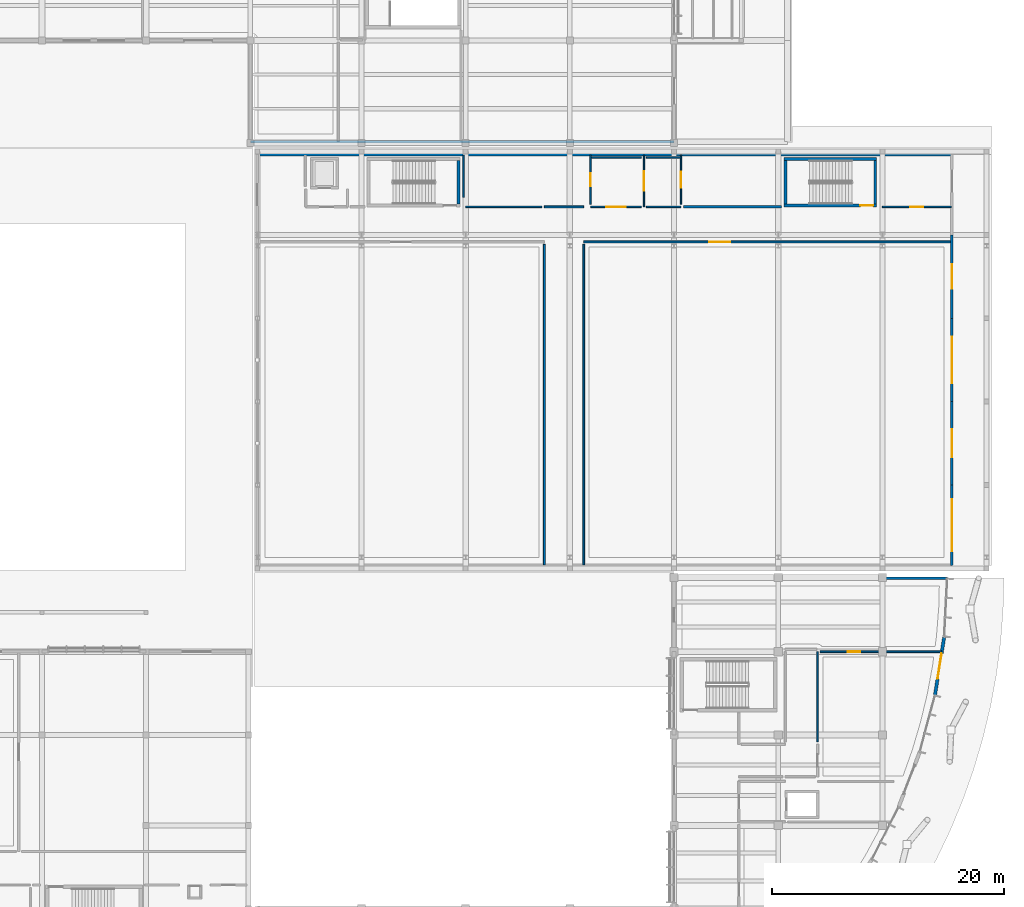
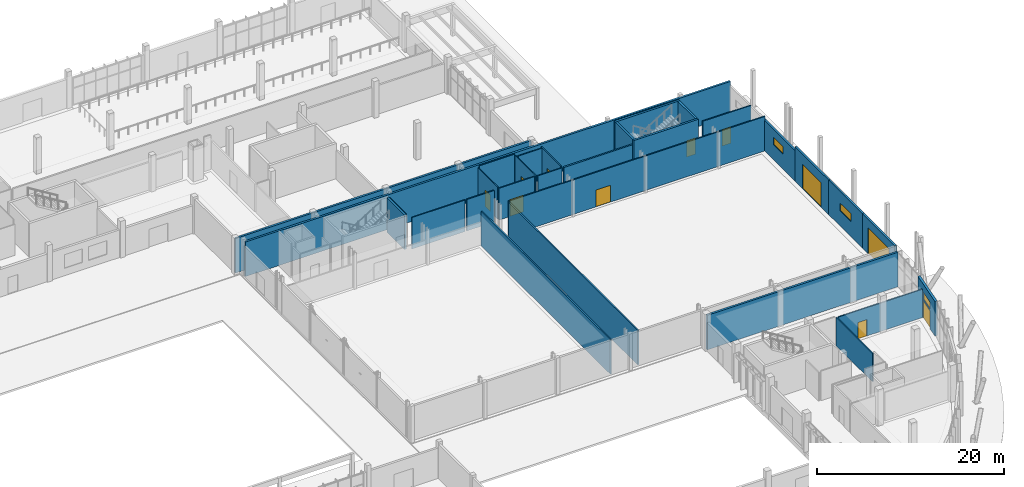
# One storey, part 128 of 151: 30 walls, 11 doors, 3 windows, 14 openings.
"""IFC4 building model written with IfcOpenShell, lengths in metres."""

from ifc_helpers import new_model, si_unit, direction, frame, frame_2d, origin, place, context, subcontext, project, spatial, rectangle, extrude, material, layer, layer_set, type_object, element, fill, save


model = new_model("IFC4")

# Units and contexts
model_context = context("Model", 3, precision=1e-05, world=origin(), true_north=direction((0.0, 1.0)))
body_context = subcontext(model_context, "Body", "Model", "MODEL_VIEW")
ifc_project = project(units=[si_unit("LENGTHUNIT", "METRE"), si_unit("AREAUNIT", "SQUARE_METRE"), si_unit("VOLUMEUNIT", "CUBIC_METRE"), si_unit("PLANEANGLEUNIT", "RADIAN"), si_unit("MASSUNIT", "GRAM", prefix="KILO")], contexts=[model_context])

# Site, building, storey
site_placement = place(None, origin())
site = spatial("IfcSite", under=ifc_project, at=site_placement, CompositionType="ELEMENT")
building_placement = place(site_placement, origin())
building = spatial("IfcBuilding", under=site, at=building_placement, Name="Chiffa Square Polytechnic", CompositionType="ELEMENT")
storey_placement = place(building_placement, origin())
storey = spatial("IfcBuildingStorey", under=building, at=storey_placement, Name="L00", CompositionType="ELEMENT", Elevation=0.0)

# Wall
ifc_material_1 = material(Name="Concrete C40/50", Category="concrete")
ifc_layer_1 = layer(ifc_material_1, 0.25, Name="Concrete C40/50")
ifc_layer_set_1 = layer_set([ifc_layer_1], Name="Concrete C40/50")
wall_type_1 = type_object("IfcWallType", Name="WL-CORE-250", PredefinedType="SHEAR", material=ifc_layer_set_1)
wall_1_placement = place(storey_placement, frame((129.574951171875, 89.675048828125, 0.0), z_axis=(0.0, 0.0, 1.0), x_axis=(0.0, 1.0, 0.0)))
element("IfcWall", 1, at=wall_1_placement, inside=storey, type_object=wall_type_1, Name="Core or enclosure wall WC-CORE-V2A-L00-EAST", PredefinedType="SHEAR", context=body_context, shape_type="SweptSolid", body=[
    extrude(rectangle(XDim=3.7548828125, YDim=0.25, at=frame_2d((1.87744140625, 0.0))), origin(), (0.0, 0.0, 1.0), 4.52001953125),
])

# Wall, opening, door
wall_2_placement = place(storey_placement, frame((157.699951171875, 89.550048828125, 0.0), z_axis=(0.0, 0.0, 1.0), x_axis=(1.0, 0.0, 0.0)))
wall_2 = element("IfcWall", 2, at=wall_2_placement, inside=storey, type_object=wall_type_1, Name="Core or enclosure wall WC-CORE-V2B-L00-SOUTH", PredefinedType="SHEAR", context=body_context, shape_type="SweptSolid", body=[
    extrude(rectangle(XDim=8.0, YDim=0.25, at=frame_2d((4.0, 0.0))), origin(), (0.0, 0.0, 1.0), 4.52001953125),
])
opening_1_placement = place(wall_2_placement, frame((6.60009765625, 0.0, 0.0)))
opening_1 = element("IfcOpeningElement", 3, at=opening_1_placement, cuts=wall_2, Name="Opening DS-L00-019", PredefinedType="OPENING", context=body_context, shape_type="SweptSolid", body=[
    extrude(rectangle(XDim=1.10009765625, YDim=2.14990234375, at=frame_2d((0.550048828125, 1.074951171875))), frame((0.0, 0.135009765625, 0.0), z_axis=(0.0, -1.0, 0.0), x_axis=(1.0, 0.0, 0.0)), (0.0, 0.0, 1.0), 0.27001953125),
])
ifc_material_2 = material(Name="Fire-rated painted steel leaf", Category="steel")
door_type_1 = type_object("IfcDoorType", Name="DR-STAIR-1100", OperationType="NOTDEFINED", PredefinedType="DOOR", material=ifc_material_2)
door_1_placement = place(opening_1_placement, origin())
door_1 = element("IfcDoor", 4, at=door_1_placement, inside=storey, type_object=door_type_1, Name="Enclosure door DS-L00-019", OperationType="SINGLE_SWING_LEFT", OverallHeight=2.14990234375, OverallWidth=1.10009765625, PredefinedType="DOOR", context=body_context, shape_type="SweptSolid", body=[
    extrude(rectangle(XDim=1.10009765625, YDim=2.14990234375, at=frame_2d((0.550048828125, 1.074951171875))), frame((0.0, 0.02490234375, 0.0), z_axis=(0.0, -1.0, 0.0), x_axis=(1.0, 0.0, 0.0)), (0.0, 0.0, 1.0), 0.050048828125),
])
fill(opening_1, door_1)

# Walls
wall_3_placement = place(storey_placement, frame((157.699951171875, 93.554931640625, 0.0), z_axis=(0.0, 0.0, 1.0), x_axis=(1.0, 0.0, 0.0)))
element("IfcWall", 5, at=wall_3_placement, inside=storey, type_object=wall_type_1, Name="Core or enclosure wall WC-CORE-V2B-L00-NORTH", PredefinedType="SHEAR", context=body_context, shape_type="SweptSolid", body=[
    extrude(rectangle(XDim=8.0, YDim=0.25, at=frame_2d((4.0, 0.0))), origin(), (0.0, 0.0, 1.0), 4.52001953125),
])
for number, where, z_axis, x_axis, name in (
    (6, (157.824951171875, 89.675048828125, 0.0), (0.0, 0.0, 1.0), (0.0, 1.0, 0.0), "Core or enclosure wall WC-CORE-V2B-L00-WEST"),
    (7, (165.574951171875, 89.675048828125, 0.0), (0.0, 0.0, 1.0), (0.0, 1.0, 0.0), "Core or enclosure wall WC-CORE-V2B-L00-EAST"),
):
    element("IfcWall", number, at=place(storey_placement, frame(where, z_axis=z_axis, x_axis=x_axis)), inside=storey, type_object=wall_type_1, Name=name, PredefinedType="SHEAR", context=body_context, shape_type="SweptSolid", body=[
        extrude(rectangle(XDim=3.7548828125, YDim=0.25, at=frame_2d((1.87744140625, 0.0))), origin(), (0.0, 0.0, 1.0), 4.52001953125),
    ])

# Wall, opening, door
ifc_material_3 = material(Name="Precast concrete C40/50", Category="concrete")
ifc_layer_2 = layer(ifc_material_3, 0.219970703125, Name="Precast concrete C40/50")
ifc_layer_set_2 = layer_set([ifc_layer_2], Name="Precast concrete C40/50")
wall_type_2 = type_object("IfcWallType", Name="WL-EXT-PC220", PredefinedType="SOLIDWALL", material=ifc_layer_set_2)
wall_4_placement = place(storey_placement, frame((172.199951171875, 58.449951171875, 0.0), z_axis=(0.0, 0.0, 1.0), x_axis=(0.0, 1.0, 0.0)))
wall_4 = element("IfcWall", 8, at=wall_4_placement, inside=storey, type_object=wall_type_2, Name="Exterior wall WE-V2-L00-0103", PredefinedType="SOLIDWALL", context=body_context, shape_type="SweptSolid", body=[
    extrude(rectangle(XDim=6.949951171875, YDim=0.219970703125, at=frame_2d((3.47509765625, 0.0))), origin(), (0.0, 0.0, 1.0), 4.52001953125),
])
opening_2_placement = place(wall_4_placement, frame((1.22509765625, 0.0, 0.0)))
opening_2 = element("IfcOpeningElement", 9, at=opening_2_placement, cuts=wall_4, Name="Opening DG-L00-016", PredefinedType="OPENING", context=body_context, shape_type="SweptSolid", body=[
    extrude(rectangle(XDim=4.5, YDim=3.39990234375, at=frame_2d((2.25, 1.699951171875))), frame((0.0, 0.1201171875, 0.0), z_axis=(0.0, -1.0, 0.0), x_axis=(1.0, 0.0, 0.0)), (0.0, 0.0, 1.0), 0.239990234375),
])
ifc_material_4 = material(Name="Galvanized steel roller shutter", Category="steel")
door_type_2 = type_object("IfcDoorType", Name="DR-GATE-4500X3400", OperationType="ROLLINGUP", PredefinedType="GATE", material=ifc_material_4)
door_2_placement = place(opening_2_placement, origin())
door_2 = element("IfcDoor", 10, at=door_2_placement, inside=storey, type_object=door_type_2, Name="Exterior door DG-L00-016", OperationType="ROLLINGUP", OverallHeight=3.39990234375, OverallWidth=4.5, PredefinedType="GATE", context=body_context, shape_type="SweptSolid", body=[
    extrude(rectangle(XDim=4.5, YDim=3.39990234375, at=frame_2d((2.25, 1.699951171875))), frame((0.0, 0.02490234375, 0.0), z_axis=(0.0, -1.0, 0.0), x_axis=(1.0, 0.0, 0.0)), (0.0, 0.0, 1.0), 0.050048828125),
])
fill(opening_2, door_2)

# Wall, opening, window
wall_5_placement = place(storey_placement, frame((172.199951171875, 65.39990234375, 0.0), z_axis=(0.0, 0.0, 1.0), x_axis=(0.0, 1.0, 0.0)))
wall_5 = element("IfcWall", 11, at=wall_5_placement, inside=storey, type_object=wall_type_2, Name="Exterior wall WE-V2-L00-0104", PredefinedType="SOLIDWALL", context=body_context, shape_type="SweptSolid", body=[
    extrude(rectangle(XDim=7.2001953125, YDim=0.219970703125, at=frame_2d((3.60009765625, 0.0))), origin(), (0.0, 0.0, 1.0), 4.52001953125),
])
opening_3_placement = place(wall_5_placement, frame((2.39990234375, 0.0, 2.0)))
opening_3 = element("IfcOpeningElement", 12, at=opening_3_placement, cuts=wall_5, Name="Opening WCL-03", PredefinedType="OPENING", context=body_context, shape_type="SweptSolid", body=[
    extrude(rectangle(XDim=2.39990234375, YDim=1.0, at=frame_2d((1.199951171875, 0.5))), frame((0.0, 0.1201171875, 0.0), z_axis=(0.0, -1.0, 0.0), x_axis=(1.0, 0.0, 0.0)), (0.0, 0.0, 1.0), 0.239990234375),
])
ifc_material_5 = material(Name="Double glazing in thermally broken aluminium frame", Category="aluminium")
window_type_1 = type_object("IfcWindowType", Name="WIN-CLR-2400X1000", PartitioningType="DOUBLE_PANEL_VERTICAL", PredefinedType="WINDOW", material=ifc_material_5)
window_1_placement = place(opening_3_placement, origin())
window_1 = element("IfcWindow", 13, at=window_1_placement, inside=storey, type_object=window_type_1, Name="Facade window WN-L00-0104", OverallHeight=1.0, OverallWidth=2.39990234375, PartitioningType="DOUBLE_PANEL_VERTICAL", PredefinedType="WINDOW", context=body_context, shape_type="SweptSolid", body=[
    extrude(rectangle(XDim=2.39990234375, YDim=1.0, at=frame_2d((1.199951171875, 0.5))), frame((0.0, 0.030029296875, 0.0), z_axis=(0.0, -1.0, 0.0), x_axis=(1.0, 0.0, 0.0)), (0.0, 0.0, 1.0), 0.06005859375),
])
fill(opening_3, window_1)

# Wall, opening, door
wall_6_placement = place(storey_placement, frame((172.199951171875, 72.60009765625, 0.0), z_axis=(0.0, 0.0, 1.0), x_axis=(0.0, 1.0, 0.0)))
wall_6 = element("IfcWall", 14, at=wall_6_placement, inside=storey, type_object=wall_type_2, Name="Exterior wall WE-V2-L00-0105", PredefinedType="SOLIDWALL", context=body_context, shape_type="SweptSolid", body=[
    extrude(rectangle(XDim=7.199951171875, YDim=0.219970703125, at=frame_2d((3.60009765625, 0.0))), origin(), (0.0, 0.0, 1.0), 4.52001953125),
])
opening_4_placement = place(wall_6_placement, frame((1.60009765625, 0.0, 0.0)))
opening_4 = element("IfcOpeningElement", 15, at=opening_4_placement, cuts=wall_6, Name="Opening DG-L00-017", PredefinedType="OPENING", context=body_context, shape_type="SweptSolid", body=[
    extrude(rectangle(XDim=4.0, YDim=3.199951171875, at=frame_2d((2.0, 1.60009765625))), frame((0.0, 0.1201171875, 0.0), z_axis=(0.0, -1.0, 0.0), x_axis=(1.0, 0.0, 0.0)), (0.0, 0.0, 1.0), 0.239990234375),
])
door_type_3 = type_object("IfcDoorType", Name="DR-GATE-4000X3200", OperationType="ROLLINGUP", PredefinedType="GATE", material=ifc_material_4)
door_3_placement = place(opening_4_placement, origin())
door_3 = element("IfcDoor", 16, at=door_3_placement, inside=storey, type_object=door_type_3, Name="Exterior door DG-L00-017", OperationType="ROLLINGUP", OverallHeight=3.199951171875, OverallWidth=4.0, PredefinedType="GATE", context=body_context, shape_type="SweptSolid", body=[
    extrude(rectangle(XDim=4.0, YDim=3.199951171875, at=frame_2d((2.0, 1.60009765625))), frame((0.0, 0.02490234375, 0.0), z_axis=(0.0, -1.0, 0.0), x_axis=(1.0, 0.0, 0.0)), (0.0, 0.0, 1.0), 0.050048828125),
])
fill(opening_4, door_3)

# Wall, opening, window
wall_7_placement = place(storey_placement, frame((172.199951171875, 79.800048828125, 0.0), z_axis=(0.0, 0.0, 1.0), x_axis=(0.0, 1.0, 0.0)))
wall_7 = element("IfcWall", 17, at=wall_7_placement, inside=storey, type_object=wall_type_2, Name="Exterior wall WE-V2-L00-0106", PredefinedType="SOLIDWALL", context=body_context, shape_type="SweptSolid", body=[
    extrude(rectangle(XDim=7.199951171875, YDim=0.219970703125, at=frame_2d((3.60009765625, 0.0))), origin(), (0.0, 0.0, 1.0), 4.0048828125),
])
opening_5_placement = place(wall_7_placement, frame((2.550048828125, 0.0, 2.0)))
opening_5 = element("IfcOpeningElement", 18, at=opening_5_placement, cuts=wall_7, Name="Opening WCL-04", PredefinedType="OPENING", context=body_context, shape_type="SweptSolid", body=[
    extrude(rectangle(XDim=2.10009765625, YDim=0.949951171875, at=frame_2d((1.050048828125, 0.47509765625))), frame((0.0, 0.1201171875, 0.0), z_axis=(0.0, -1.0, 0.0), x_axis=(1.0, 0.0, 0.0)), (0.0, 0.0, 1.0), 0.239990234375),
])
window_type_2 = type_object("IfcWindowType", Name="WIN-CLR-2100X0950", PartitioningType="DOUBLE_PANEL_VERTICAL", PredefinedType="WINDOW", material=ifc_material_5)
window_2_placement = place(opening_5_placement, origin())
window_2 = element("IfcWindow", 19, at=window_2_placement, inside=storey, type_object=window_type_2, Name="Facade window WN-L00-0105", OverallHeight=0.949951171875, OverallWidth=2.10009765625, PartitioningType="DOUBLE_PANEL_VERTICAL", PredefinedType="WINDOW", context=body_context, shape_type="SweptSolid", body=[
    extrude(rectangle(XDim=2.10009765625, YDim=0.949951171875, at=frame_2d((1.050048828125, 0.47509765625))), frame((0.0, 0.030029296875, 0.0), z_axis=(0.0, -1.0, 0.0), x_axis=(1.0, 0.0, 0.0)), (0.0, 0.0, 1.0), 0.06005859375),
])
fill(opening_5, window_2)

# Wall, openings, door, window
ifc_layer_3 = layer(ifc_material_3, 0.280029296875, Name="Precast concrete C40/50")
ifc_layer_set_3 = layer_set([ifc_layer_3], Name="Precast concrete C40/50")
wall_type_3 = type_object("IfcWallType", Name="WL-EXT-PC280", PredefinedType="SOLIDWALL", material=ifc_layer_set_3)
wall_8_placement = place(storey_placement, frame((170.738037109375, 47.2451171875, 0.0), z_axis=(0.0, 0.0, 1.0), x_axis=(0.156440618646, 0.98768736594, 0.0)))
wall_8 = element("IfcWall", 20, at=wall_8_placement, inside=storey, type_object=wall_type_3, Name="Chiffa Square portico entrance wall WE-V1-L00-PORTAL-15", PredefinedType="SOLIDWALL", context=body_context, shape_type="SweptSolid", body=[
    extrude(rectangle(XDim=5.087646484375, YDim=0.280029296875, at=frame_2d((2.5439453125, 0.0))), origin(), (0.0, 0.0, 1.0), 4.52001953125),
])
opening_6_placement = place(wall_8_placement, frame((1.444091796875, 0.0, 0.0)))
opening_6 = element("IfcOpeningElement", 21, at=opening_6_placement, cuts=wall_8, Name="Opening DE-L00-008", PredefinedType="OPENING", context=body_context, shape_type="SweptSolid", body=[
    extrude(rectangle(XDim=2.199951171875, YDim=2.35009765625, at=frame_2d((1.10009765625, 1.175048828125))), frame((0.0, 0.14990234375, 0.0), z_axis=(0.0, -1.0, 0.0), x_axis=(1.0, 0.0, 0.0)), (0.0, 0.0, 1.0), 0.300048828125),
])
opening_7_placement = place(wall_8_placement, frame((1.493896484375, 0.0, 2.530029296875)))
opening_7 = element("IfcOpeningElement", 22, at=opening_7_placement, cuts=wall_8, Name="Opening WCL-04", PredefinedType="OPENING", context=body_context, shape_type="SweptSolid", body=[
    extrude(rectangle(XDim=2.10009765625, YDim=0.949951171875, at=frame_2d((1.050048828125, 0.47509765625))), frame((0.0, 0.14990234375, 0.0), z_axis=(0.0, -1.0, 0.0), x_axis=(1.0, 0.0, 0.0)), (0.0, 0.0, 1.0), 0.300048828125),
])
ifc_material_6 = material(Name="Aluminium and laminated safety glass", Category="aluminium")
door_type_4 = type_object("IfcDoorType", Name="DR-EXIT-DBL-2200", OperationType="DOUBLE_DOOR_SINGLE_SWING", PredefinedType="DOOR", material=ifc_material_6)
door_4_placement = place(opening_6_placement, origin())
door_4 = element("IfcDoor", 23, at=door_4_placement, inside=storey, type_object=door_type_4, Name="Faculty prow portico entrance door DE-L00-008", OperationType="DOUBLE_DOOR_SINGLE_SWING", OverallHeight=2.35009765625, OverallWidth=2.199951171875, PredefinedType="DOOR", context=body_context, shape_type="SweptSolid", body=[
    extrude(rectangle(XDim=2.199951171875, YDim=2.35009765625, at=frame_2d((1.10009765625, 1.175048828125))), frame((0.0, 0.02490234375, 0.0), z_axis=(0.0, -1.0, 0.0), x_axis=(1.0, 0.0, 0.0)), (0.0, 0.0, 1.0), 0.050048828125),
])
fill(opening_6, door_4)
window_3_placement = place(opening_7_placement, origin())
window_3 = element("IfcWindow", 24, at=window_3_placement, inside=storey, type_object=window_type_2, Name="Entrance transom clerestory WN-L00-0008", OverallHeight=0.949951171875, OverallWidth=2.10009765625, PartitioningType="DOUBLE_PANEL_VERTICAL", PredefinedType="WINDOW", context=body_context, shape_type="SweptSolid", body=[
    extrude(rectangle(XDim=2.10009765625, YDim=0.949951171875, at=frame_2d((1.050048828125, 0.47509765625))), frame((0.0, 0.030029296875, 0.0), z_axis=(0.0, -1.0, 0.0), x_axis=(1.0, 0.0, 0.0)), (0.0, 0.0, 1.0), 0.06005859375),
])
fill(opening_7, window_3)

# Walls
ifc_material_7 = material(Name="Gypsum board on steel stud", Category="steel")
ifc_layer_4 = layer(ifc_material_7, 0.125, Name="Gypsum board on steel stud")
ifc_layer_set_4 = layer_set([ifc_layer_4], Name="Gypsum board on steel stud")
wall_type_4 = type_object("IfcWallType", Name="WL-PART-125", PredefinedType="PARTITIONING", material=ifc_layer_set_4)
wall_9_placement = place(storey_placement, frame((130.194091796875, 89.425048828125, 0.0), z_axis=(0.0, 0.0, 1.0), x_axis=(1.0, 0.0, 0.0)))
element("IfcWall", 25, at=wall_9_placement, inside=storey, type_object=wall_type_4, Name="Interior partition WP-V2-L00-0116", PredefinedType="PARTITIONING", context=body_context, shape_type="SweptSolid", body=[
    extrude(rectangle(XDim=6.5859375, YDim=0.125, at=frame_2d((3.29296875, 0.0))), origin(), (0.0, 0.0, 1.0), 4.114990234375),
])
wall_10_placement = place(storey_placement, frame((160.60009765625, 43.219970703125, 0.0), z_axis=(0.0, 0.0, 1.0), x_axis=(0.0, 1.0, 0.0)))
element("IfcWall", 26, at=wall_10_placement, inside=storey, type_object=wall_type_4, Name="Interior partition WP-V1-L00-0137", PredefinedType="PARTITIONING", context=body_context, shape_type="SweptSolid", body=[
    extrude(rectangle(XDim=7.780029296875, YDim=0.125, at=frame_2d((3.89013671875, 0.0))), origin(), (0.0, 0.0, 1.0), 3.705078125),
])

# Wall, opening, door
ifc_layer_5 = layer(ifc_material_7, 0.14501953125, Name="Gypsum board on steel stud")
ifc_layer_set_5 = layer_set([ifc_layer_5], Name="Gypsum board on steel stud")
wall_type_5 = type_object("IfcWallType", Name="WL-PART-145", PredefinedType="PARTITIONING", material=ifc_layer_set_5)
wall_11_placement = place(storey_placement, frame((166.194091796875, 89.425048828125, 0.0), z_axis=(0.0, 0.0, 1.0), x_axis=(1.0, 0.0, 0.0)))
wall_11 = element("IfcWall", 27, at=wall_11_placement, inside=storey, type_object=wall_type_5, Name="Interior partition WP-V2-L00-0108", PredefinedType="PARTITIONING", context=body_context, shape_type="SweptSolid", body=[
    extrude(rectangle(XDim=5.950927734375, YDim=0.14501953125, at=frame_2d((2.9755859375, 0.0))), origin(), (0.0, 0.0, 1.0), 4.114990234375),
])
opening_8_placement = place(wall_11_placement, frame((2.426025390625, 0.0, 0.0)))
opening_8 = element("IfcOpeningElement", 28, at=opening_8_placement, cuts=wall_11, Name="Opening DI-L00-079", PredefinedType="OPENING", context=body_context, shape_type="SweptSolid", body=[
    extrude(rectangle(XDim=1.10009765625, YDim=2.14990234375, at=frame_2d((0.550048828125, 1.074951171875))), frame((0.0, 0.08251953125, 0.0), z_axis=(0.0, -1.0, 0.0), x_axis=(1.0, 0.0, 0.0)), (0.0, 0.0, 1.0), 0.1650390625),
])
ifc_material_8 = material(Name="Solid core ash veneer door")
door_type_5 = type_object("IfcDoorType", Name="DR-INT-1100", OperationType="NOTDEFINED", PredefinedType="DOOR", material=ifc_material_8)
door_5_placement = place(opening_8_placement, origin())
door_5 = element("IfcDoor", 29, at=door_5_placement, inside=storey, type_object=door_type_5, Name="Interior room door DI-L00-079", OperationType="SINGLE_SWING_RIGHT", OverallHeight=2.14990234375, OverallWidth=1.10009765625, PredefinedType="DOOR", context=body_context, shape_type="SweptSolid", body=[
    extrude(rectangle(XDim=1.10009765625, YDim=2.14990234375, at=frame_2d((0.550048828125, 1.074951171875))), frame((0.0, 0.02490234375, 0.0), z_axis=(0.0, -1.0, 0.0), x_axis=(1.0, 0.0, 0.0)), (0.0, 0.0, 1.0), 0.050048828125),
])
fill(opening_8, door_5)

# Wall
wall_12_placement = place(storey_placement, frame((130.0, 90.25390625, 0.0), z_axis=(0.0, 0.0, 1.0), x_axis=(0.0, 1.0, 0.0)))
element("IfcWall", 30, at=wall_12_placement, inside=storey, type_object=wall_type_5, Name="Interior partition WP-V2-L00-0117", PredefinedType="PARTITIONING", context=body_context, shape_type="SweptSolid", body=[
    extrude(rectangle(XDim=3.64111328125, YDim=0.14501953125, at=frame_2d((1.820556640625, 0.0))), origin(), (0.0, 0.0, 1.0), 4.114990234375),
])

# Wall, opening, door
wall_13_placement = place(storey_placement, frame((160.820068359375, 51.0, 0.0), z_axis=(0.0, 0.0, 1.0), x_axis=(1.0, 0.0, 0.0)))
wall_13 = element("IfcWall", 31, at=wall_13_placement, inside=storey, type_object=wall_type_5, Name="Interior partition WP-V1-L00-0138", PredefinedType="PARTITIONING", context=body_context, shape_type="SweptSolid", body=[
    extrude(rectangle(XDim=10.491943359375, YDim=0.14501953125, at=frame_2d((5.24609375, 0.0))), origin(), (0.0, 0.0, 1.0), 3.705078125),
])
opening_9_placement = place(wall_13_placement, frame((2.367919921875, 0.0, 0.0)))
opening_9 = element("IfcOpeningElement", 32, at=opening_9_placement, cuts=wall_13, Name="Opening DI-L00-089", PredefinedType="OPENING", context=body_context, shape_type="SweptSolid", body=[
    extrude(rectangle(XDim=1.10009765625, YDim=2.14990234375, at=frame_2d((0.550048828125, 1.074951171875))), frame((0.0, 0.08251953125, 0.0), z_axis=(0.0, -1.0, 0.0), x_axis=(1.0, 0.0, 0.0)), (0.0, 0.0, 1.0), 0.1650390625),
])
door_6_placement = place(opening_9_placement, origin())
door_6 = element("IfcDoor", 33, at=door_6_placement, inside=storey, type_object=door_type_5, Name="Interior room door DI-L00-089", OperationType="SINGLE_SWING_RIGHT", OverallHeight=2.14990234375, OverallWidth=1.10009765625, PredefinedType="DOOR", context=body_context, shape_type="SweptSolid", body=[
    extrude(rectangle(XDim=1.10009765625, YDim=2.14990234375, at=frame_2d((0.550048828125, 1.074951171875))), frame((0.0, 0.02490234375, 0.0), z_axis=(0.0, -1.0, 0.0), x_axis=(1.0, 0.0, 0.0)), (0.0, 0.0, 1.0), 0.050048828125),
])
fill(opening_9, door_6)

# Walls
ifc_material_9 = material(Name="Autoclaved aerated concrete blockwork", Category="masonry")
ifc_layer_6 = layer(ifc_material_9, 0.199951171875, Name="Autoclaved aerated concrete blockwork")
ifc_layer_set_6 = layer_set([ifc_layer_6], Name="Autoclaved aerated concrete blockwork")
wall_type_6 = type_object("IfcWallType", Name="WL-PART-EI120-200", PredefinedType="PARTITIONING", material=ifc_layer_set_6)
wall_14_placement = place(storey_placement, frame((149.02001953125, 89.425048828125, 0.0), z_axis=(0.0, 0.0, 1.0), x_axis=(1.0, 0.0, 0.0)))
element("IfcWall", 34, at=wall_14_placement, inside=storey, type_object=wall_type_6, Name="Interior partition WP-V2-L00-0112", PredefinedType="PARTITIONING", context=body_context, shape_type="SweptSolid", body=[
    extrude(rectangle(XDim=8.47509765625, YDim=0.199951171875, at=frame_2d((4.237548828125, 0.0))), origin(), (0.0, 0.0, 1.0), 4.114990234375),
])
ifc_material_10 = material(Name="Gypsum board on acoustic steel stud", Category="steel")
ifc_layer_7 = layer(ifc_material_10, 0.159912109375, Name="Gypsum board on acoustic steel stud")
ifc_layer_set_7 = layer_set([ifc_layer_7], Name="Gypsum board on acoustic steel stud")
wall_type_7 = type_object("IfcWallType", Name="WL-PART-EI60-160", PredefinedType="PARTITIONING", material=ifc_layer_set_7)
wall_15_placement = place(storey_placement, frame((137.0, 89.425048828125, 0.0), z_axis=(0.0, 0.0, 1.0), x_axis=(1.0, 0.0, 0.0)))
element("IfcWall", 35, at=wall_15_placement, inside=storey, type_object=wall_type_7, Name="Interior partition WP-V2-L00-0115", PredefinedType="PARTITIONING", context=body_context, shape_type="SweptSolid", body=[
    extrude(rectangle(XDim=3.39990234375, YDim=0.159912109375, at=frame_2d((1.699951171875, 0.0))), origin(), (0.0, 0.0, 1.0), 4.114990234375),
])

# Wall, opening, door
wall_16_placement = place(storey_placement, frame((140.39990234375, 86.39990234375, 0.0), z_axis=(0.0, 0.0, 1.0), x_axis=(1.0, 0.0, 0.0)))
wall_16 = element("IfcWall", 36, at=wall_16_placement, inside=storey, type_object=wall_type_7, Name="Interior partition WP-V2-L00-0160", PredefinedType="PARTITIONING", context=body_context, shape_type="SweptSolid", body=[
    extrude(rectangle(XDim=31.7451171875, YDim=0.159912109375, at=frame_2d((15.87255859375, 0.0))), origin(), (0.0, 0.0, 1.0), 4.52001953125),
])
opening_10_placement = place(wall_16_placement, frame((10.842041015625, 0.0, 0.0)))
opening_10 = element("IfcOpeningElement", 37, at=opening_10_placement, cuts=wall_16, Name="Opening DI-L00-098", PredefinedType="OPENING", context=body_context, shape_type="SweptSolid", body=[
    extrude(rectangle(XDim=1.800048828125, YDim=2.199951171875, at=frame_2d((0.89990234375, 1.10009765625))), frame((0.0, 0.08984375, 0.0), z_axis=(0.0, -1.0, 0.0), x_axis=(1.0, 0.0, 0.0)), (0.0, 0.0, 1.0), 0.179931640625),
])
ifc_material_11 = material(Name="Solid oak fire door pair")
door_type_6 = type_object("IfcDoorType", Name="DR-CORR-DBL-1800", OperationType="DOUBLE_DOOR_SINGLE_SWING", PredefinedType="DOOR", material=ifc_material_11)
door_7_placement = place(opening_10_placement, origin())
door_7 = element("IfcDoor", 38, at=door_7_placement, inside=storey, type_object=door_type_6, Name="Interior room door DI-L00-098", OperationType="DOUBLE_DOOR_SINGLE_SWING", OverallHeight=2.199951171875, OverallWidth=1.800048828125, PredefinedType="DOOR", context=body_context, shape_type="SweptSolid", body=[
    extrude(rectangle(XDim=1.800048828125, YDim=2.199951171875, at=frame_2d((0.89990234375, 1.10009765625))), frame((0.0, 0.02490234375, 0.0), z_axis=(0.0, -1.0, 0.0), x_axis=(1.0, 0.0, 0.0)), (0.0, 0.0, 1.0), 0.050048828125),
])
fill(opening_10, door_7)

# Walls
for number, where, z_axis, x_axis, name in (
    (39, (140.39990234375, 58.5048828125, 0.0), (0.0, 0.0, 1.0), (0.0, 1.0, 0.0), "Interior partition WP-V2-L00-0161"),
    (40, (137.0, 58.5048828125, 0.0), (0.0, 0.0, 1.0), (0.0, 1.0, 0.0), "Interior partition WP-V2-L00-0162"),
):
    element("IfcWall", number, at=place(storey_placement, frame(where, z_axis=z_axis, x_axis=x_axis)), inside=storey, type_object=wall_type_7, Name=name, PredefinedType="PARTITIONING", context=body_context, shape_type="SweptSolid", body=[
        extrude(rectangle(XDim=27.675048828125, YDim=0.159912109375, at=frame_2d((13.83740234375, 0.0))), origin(), (0.0, 0.0, 1.0), 4.52001953125),
    ])

# Wall, opening, door
ifc_material_12 = material(Name="Moisture-resistant board partition")
ifc_layer_8 = layer(ifc_material_12, 0.1201171875, Name="Moisture-resistant board partition")
ifc_layer_set_8 = layer_set([ifc_layer_8], Name="Moisture-resistant board partition")
wall_type_8 = type_object("IfcWallType", Name="WL-PART-WC-120", PredefinedType="PARTITIONING", material=ifc_layer_set_8)
wall_17_placement = place(storey_placement, frame((145.60009765625, 89.425048828125, 0.0), z_axis=(0.0, 0.0, 1.0), x_axis=(0.0, 1.0, 0.0)))
wall_17 = element("IfcWall", 41, at=wall_17_placement, inside=storey, type_object=wall_type_8, Name="Interior partition WP-V2-L00-0084", PredefinedType="PARTITIONING", context=body_context, shape_type="SweptSolid", body=[
    extrude(rectangle(XDim=4.469970703125, YDim=0.1201171875, at=frame_2d((2.23486328125, 0.0))), origin(), (0.0, 0.0, 1.0), 4.175048828125),
])
opening_11_placement = place(wall_17_placement, frame((1.385009765625, 0.0, 0.0)))
opening_11 = element("IfcOpeningElement", 42, at=opening_11_placement, cuts=wall_17, Name="Opening DI-L00-069", PredefinedType="OPENING", context=body_context, shape_type="SweptSolid", body=[
    extrude(rectangle(XDim=1.699951171875, YDim=2.199951171875, at=frame_2d((0.85009765625, 1.10009765625))), frame((0.0, 0.070068359375, 0.0), z_axis=(0.0, -1.0, 0.0), x_axis=(1.0, 0.0, 0.0)), (0.0, 0.0, 1.0), 0.14013671875),
])
ifc_material_13 = material(Name="Steel-faced workshop double door", Category="steel")
door_type_7 = type_object("IfcDoorType", Name="DR-WKS-DBL-1700", OperationType="DOUBLE_DOOR_SINGLE_SWING", PredefinedType="DOOR", material=ifc_material_13)
door_8_placement = place(opening_11_placement, origin())
door_8 = element("IfcDoor", 43, at=door_8_placement, inside=storey, type_object=door_type_7, Name="Interior room door DI-L00-069", OperationType="DOUBLE_DOOR_SINGLE_SWING", OverallHeight=2.199951171875, OverallWidth=1.699951171875, PredefinedType="DOOR", context=body_context, shape_type="SweptSolid", body=[
    extrude(rectangle(XDim=1.699951171875, YDim=2.199951171875, at=frame_2d((0.85009765625, 1.10009765625))), frame((0.0, 0.02490234375, 0.0), z_axis=(0.0, -1.0, 0.0), x_axis=(1.0, 0.0, 0.0)), (0.0, 0.0, 1.0), 0.050048828125),
])
fill(opening_11, door_8)

# Walls
for number, where, z_axis, x_axis, name in (
    (44, (145.820068359375, 89.425048828125, 0.0), (0.0, 0.0, 1.0), (1.0, 0.0, 0.0), "Interior partition WP-V2-L00-0085"),
    (45, (145.820068359375, 93.679931640625, 0.0), (0.0, 0.0, 1.0), (1.0, 0.0, 0.0), "Interior partition WP-V2-L00-0086"),
):
    element("IfcWall", number, at=place(storey_placement, frame(where, z_axis=z_axis, x_axis=x_axis)), inside=storey, type_object=wall_type_8, Name=name, PredefinedType="PARTITIONING", context=body_context, shape_type="SweptSolid", body=[
        extrude(rectangle(XDim=2.97998046875, YDim=0.1201171875, at=frame_2d((1.489990234375, 0.0))), origin(), (0.0, 0.0, 1.0), 4.114990234375),
    ])

# Wall, opening, door
wall_18_placement = place(storey_placement, frame((148.800048828125, 89.64501953125, 0.0), z_axis=(0.0, 0.0, 1.0), x_axis=(0.0, 1.0, 0.0)))
wall_18 = element("IfcWall", 46, at=wall_18_placement, inside=storey, type_object=wall_type_8, Name="Interior partition WP-V2-L00-0087", PredefinedType="PARTITIONING", context=body_context, shape_type="SweptSolid", body=[
    extrude(rectangle(XDim=4.25, YDim=0.1201171875, at=frame_2d((2.125, 0.0))), origin(), (0.0, 0.0, 1.0), 4.205078125),
])
opening_12_placement = place(wall_18_placement, frame((1.425048828125, 0.0, 0.0)))
opening_12 = element("IfcOpeningElement", 47, at=opening_12_placement, cuts=wall_18, Name="Opening DI-L00-070", PredefinedType="OPENING", context=body_context, shape_type="SweptSolid", body=[
    extrude(rectangle(XDim=1.39990234375, YDim=2.14990234375, at=frame_2d((0.699951171875, 1.074951171875))), frame((0.0, 0.070068359375, 0.0), z_axis=(0.0, -1.0, 0.0), x_axis=(1.0, 0.0, 0.0)), (0.0, 0.0, 1.0), 0.14013671875),
])
ifc_material_14 = material(Name="Louvred painted steel plant door", Category="steel")
door_type_8 = type_object("IfcDoorType", Name="DR-PLANT-1400", OperationType="DOUBLE_DOOR_SINGLE_SWING", PredefinedType="DOOR", material=ifc_material_14)
door_9_placement = place(opening_12_placement, origin())
door_9 = element("IfcDoor", 48, at=door_9_placement, inside=storey, type_object=door_type_8, Name="Interior room door DI-L00-070", OperationType="DOUBLE_DOOR_SINGLE_SWING", OverallHeight=2.14990234375, OverallWidth=1.39990234375, PredefinedType="DOOR", context=body_context, shape_type="SweptSolid", body=[
    extrude(rectangle(XDim=1.39990234375, YDim=2.14990234375, at=frame_2d((0.699951171875, 1.074951171875))), frame((0.0, 0.02490234375, 0.0), z_axis=(0.0, -1.0, 0.0), x_axis=(1.0, 0.0, 0.0)), (0.0, 0.0, 1.0), 0.050048828125),
])
fill(opening_12, door_9)

# Wall
wall_19_placement = place(storey_placement, frame((141.0, 93.679931640625, 0.0), z_axis=(0.0, 0.0, 1.0), x_axis=(1.0, 0.0, 0.0)))
element("IfcWall", 49, at=wall_19_placement, inside=storey, type_object=wall_type_8, Name="Interior partition WP-V2-L00-0105", PredefinedType="PARTITIONING", context=body_context, shape_type="SweptSolid", body=[
    extrude(rectangle(XDim=4.3798828125, YDim=0.1201171875, at=frame_2d((2.18994140625, 0.0))), origin(), (0.0, 0.0, 1.0), 4.52001953125),
])

# Wall, opening, door
wall_20_placement = place(storey_placement, frame((141.0, 89.425048828125, 0.0), z_axis=(0.0, 0.0, 1.0), x_axis=(1.0, 0.0, 0.0)))
wall_20 = element("IfcWall", 50, at=wall_20_placement, inside=storey, type_object=wall_type_8, Name="Interior partition WP-V2-L00-0106", PredefinedType="PARTITIONING", context=body_context, shape_type="SweptSolid", body=[
    extrude(rectangle(XDim=4.3798828125, YDim=0.1201171875, at=frame_2d((2.18994140625, 0.0))), origin(), (0.0, 0.0, 1.0), 4.175048828125),
])
opening_13_placement = place(wall_20_placement, frame((1.340087890625, 0.0, 0.0)))
opening_13 = element("IfcOpeningElement", 51, at=opening_13_placement, cuts=wall_20, Name="Opening DI-L00-077", PredefinedType="OPENING", context=body_context, shape_type="SweptSolid", body=[
    extrude(rectangle(XDim=1.699951171875, YDim=2.199951171875, at=frame_2d((0.85009765625, 1.10009765625))), frame((0.0, 0.070068359375, 0.0), z_axis=(0.0, -1.0, 0.0), x_axis=(1.0, 0.0, 0.0)), (0.0, 0.0, 1.0), 0.14013671875),
])
door_10_placement = place(opening_13_placement, origin())
door_10 = element("IfcDoor", 52, at=door_10_placement, inside=storey, type_object=door_type_7, Name="Interior room door DI-L00-077", OperationType="DOUBLE_DOOR_SINGLE_SWING", OverallHeight=2.199951171875, OverallWidth=1.699951171875, PredefinedType="DOOR", context=body_context, shape_type="SweptSolid", body=[
    extrude(rectangle(XDim=1.699951171875, YDim=2.199951171875, at=frame_2d((0.85009765625, 1.10009765625))), frame((0.0, 0.02490234375, 0.0), z_axis=(0.0, -1.0, 0.0), x_axis=(1.0, 0.0, 0.0)), (0.0, 0.0, 1.0), 0.050048828125),
])
fill(opening_13, door_10)

wall_21_placement = place(storey_placement, frame((141.0, 89.64501953125, 0.0), z_axis=(0.0, 0.0, 1.0), x_axis=(0.0, 1.0, 0.0)))
wall_21 = element("IfcWall", 53, at=wall_21_placement, inside=storey, type_object=wall_type_8, Name="Interior partition WP-V2-L00-0107", PredefinedType="PARTITIONING", context=body_context, shape_type="SweptSolid", body=[
    extrude(rectangle(XDim=4.25, YDim=0.1201171875, at=frame_2d((2.125, 0.0))), origin(), (0.0, 0.0, 1.0), 4.175048828125),
])
opening_14_placement = place(wall_21_placement, frame((1.574951171875, 0.0, 0.0)))
opening_14 = element("IfcOpeningElement", 54, at=opening_14_placement, cuts=wall_21, Name="Opening DI-L00-078", PredefinedType="OPENING", context=body_context, shape_type="SweptSolid", body=[
    extrude(rectangle(XDim=1.10009765625, YDim=2.14990234375, at=frame_2d((0.550048828125, 1.074951171875))), frame((0.0, 0.070068359375, 0.0), z_axis=(0.0, -1.0, 0.0), x_axis=(1.0, 0.0, 0.0)), (0.0, 0.0, 1.0), 0.14013671875),
])
door_11_placement = place(opening_14_placement, origin())
door_11 = element("IfcDoor", 55, at=door_11_placement, inside=storey, type_object=door_type_5, Name="Interior room door DI-L00-078", OperationType="SINGLE_SWING_LEFT", OverallHeight=2.14990234375, OverallWidth=1.10009765625, PredefinedType="DOOR", context=body_context, shape_type="SweptSolid", body=[
    extrude(rectangle(XDim=1.10009765625, YDim=2.14990234375, at=frame_2d((0.550048828125, 1.074951171875))), frame((0.0, 0.02490234375, 0.0), z_axis=(0.0, -1.0, 0.0), x_axis=(1.0, 0.0, 0.0)), (0.0, 0.0, 1.0), 0.050048828125),
])
fill(opening_14, door_11)

# Walls
ifc_material_15 = material(Name="Concrete C35/45", Category="concrete")
ifc_layer_9 = layer(ifc_material_15, 0.25, Name="Concrete C35/45")
ifc_layer_set_9 = layer_set([ifc_layer_9], Name="Concrete C35/45")
wall_type_9 = type_object("IfcWallType", Name="WL-SJ-250", PredefinedType="SHEAR", material=ifc_layer_set_9)
wall_22_placement = place(storey_placement, frame((171.800048828125, 57.35009765625, 0.0), z_axis=(0.0, 0.0, 1.0), x_axis=(-1.0, 0.0, 0.0)))
element("IfcWall", 56, at=wall_22_placement, inside=storey, type_object=wall_type_9, Name="Seismic-joint fire wall WE-V1-L00-0009", PredefinedType="SHEAR", context=body_context, shape_type="SweptSolid", body=[
    extrude(rectangle(XDim=23.60009765625, YDim=0.25, at=frame_2d((11.800048828125, 0.0))), origin(), (0.0, 0.0, 1.0), 4.52001953125),
])
wall_23_placement = place(storey_placement, frame((172.199951171875, 93.949951171875, 0.0), z_axis=(0.0, 0.0, 1.0), x_axis=(-1.0, 0.0, 0.0)))
element("IfcWall", 57, at=wall_23_placement, inside=storey, type_object=wall_type_9, Name="Seismic-joint fire wall WE-V2-L00-0108", PredefinedType="SHEAR", context=body_context, shape_type="SweptSolid", body=[
    extrude(rectangle(XDim=60.0, YDim=0.25, at=frame_2d((30.0, 0.0))), origin(), (0.0, 0.0, 1.0), 4.52001953125),
])
wall_24_placement = place(storey_placement, frame((111.60009765625, 95.050048828125, 0.0), z_axis=(0.0, 0.0, 1.0), x_axis=(1.0, 0.0, 0.0)))
element("IfcWall", 58, at=wall_24_placement, inside=storey, type_object=wall_type_9, Name="Seismic-joint fire wall WE-V5-L00-0231", PredefinedType="SHEAR", context=body_context, shape_type="SweptSolid", body=[
    extrude(rectangle(XDim=36.599853515625, YDim=0.25, at=frame_2d((18.2998046875, 0.0))), origin(), (0.0, 0.0, 1.0), 4.52001953125),
])

save(model, "model.ifc")
